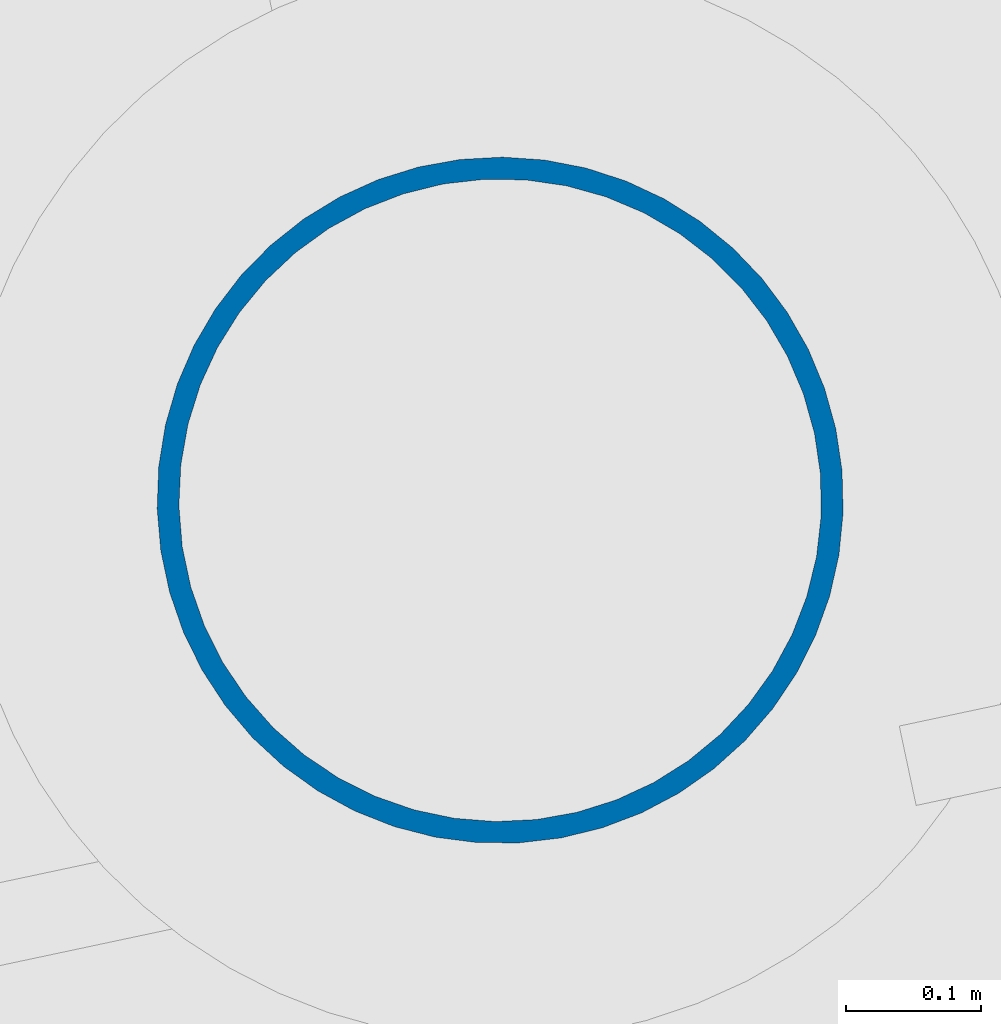
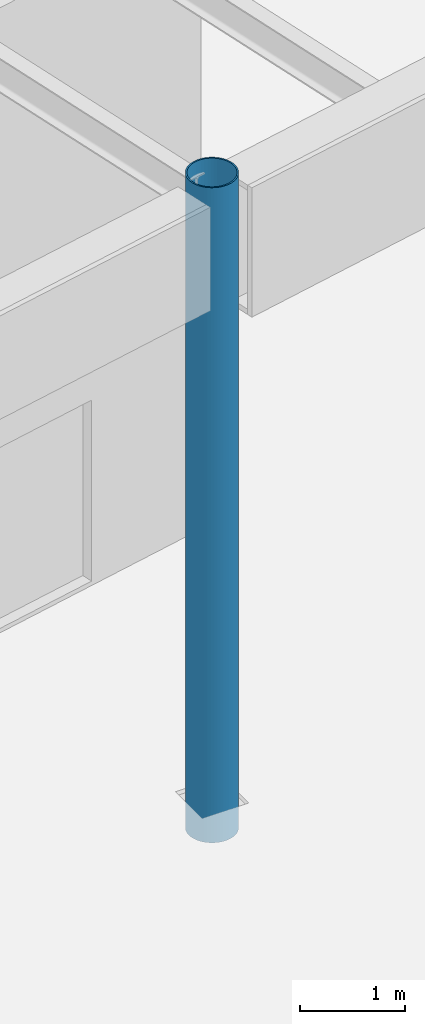
# One storey, part 22 of 239: 1 column.
"""IFC4 building model written with IfcOpenShell, lengths in metres."""

from ifc_helpers import new_model, si_unit, direction, frame, origin, origin_2d, place, context, subcontext, project, spatial, hollow_circle, extrude, material, material_profile, profile_set, type_object, element, save


model = new_model("IFC4")

# Units and contexts
model_context = context("Model", 3, precision=1e-05, world=origin(), true_north=direction((0.0, 1.0)))
body_context = subcontext(model_context, "Body", "Model", "MODEL_VIEW")
ifc_project = project(units=[si_unit("LENGTHUNIT", "METRE"), si_unit("AREAUNIT", "SQUARE_METRE"), si_unit("VOLUMEUNIT", "CUBIC_METRE"), si_unit("PLANEANGLEUNIT", "RADIAN"), si_unit("MASSUNIT", "GRAM", prefix="KILO")], contexts=[model_context])

# Site, building, storey
site_placement = place(None, origin())
site = spatial("IfcSite", under=ifc_project, at=site_placement, CompositionType="ELEMENT")
building_placement = place(site_placement, origin())
building = spatial("IfcBuilding", under=site, at=building_placement, Name="Okhra Congress Centre", CompositionType="ELEMENT")
storey_placement = place(building_placement, origin())
storey = spatial("IfcBuildingStorey", under=building, at=storey_placement, Name="L00", CompositionType="ELEMENT", Elevation=0.0)

# Column
ifc_material = material(Name="Steel S355J2H", Category="steel")
ifc_material_profile = material_profile(ifc_material, hollow_circle(Radius=0.25390625, WallThickness=0.01611328125, at=origin_2d()), Name="CHS 508x16")
ifc_profile_set = profile_set([ifc_material_profile], Name="Steel S355J2H")
column_type = type_object("IfcColumnType", Name="Round steel column CHS 508x16", PredefinedType="COLUMN", material=ifc_profile_set)
column_placement = place(storey_placement, frame((210.66748046875, 58.61962890625, -0.39990234375), z_axis=(0.0, 0.0, 1.0), x_axis=(0.978147600734, 0.207911690818, 0.0)))
element("IfcColumn", 1, at=column_placement, inside=storey, type_object=column_type, Name="Round column 29S", PredefinedType="COLUMN", context=body_context, shape_type="SweptSolid", body=[
    extrude(hollow_circle(Radius=0.25390625, WallThickness=0.01611328125, at=origin_2d()), origin(), (0.0, 0.0, 1.0), 7.599853515625),
])

save(model, "model.ifc")
